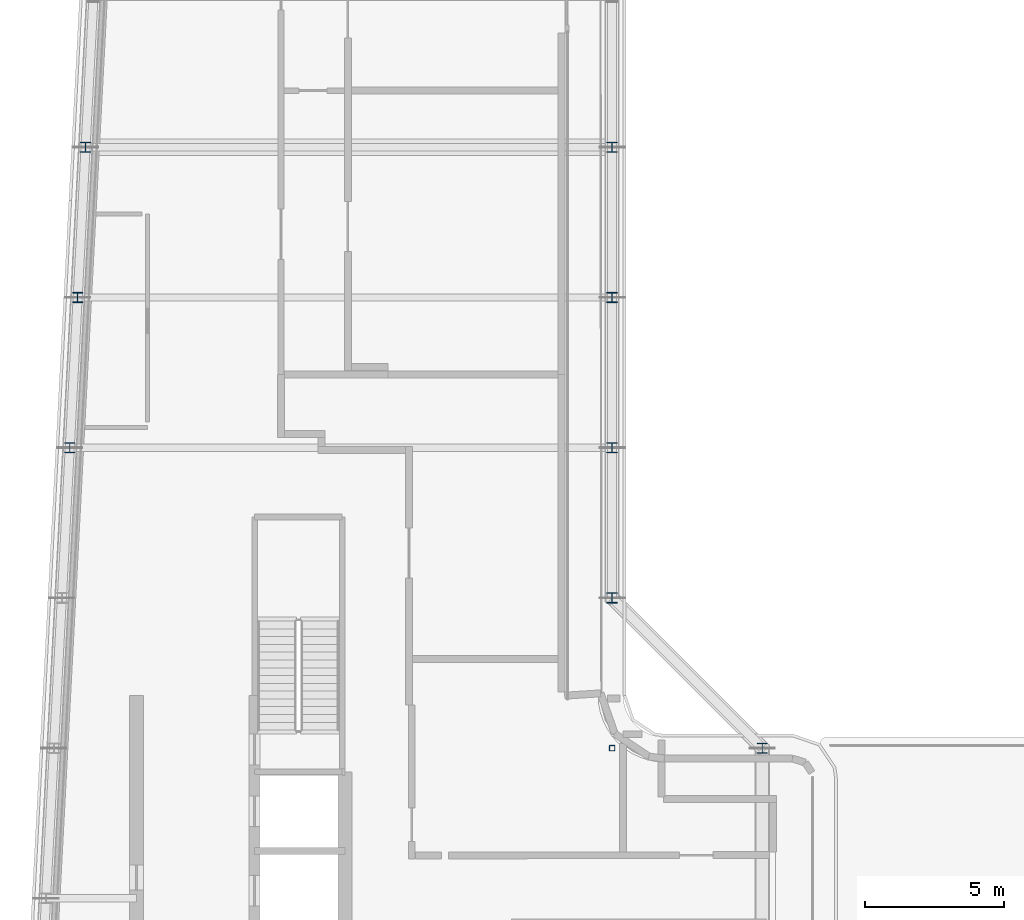
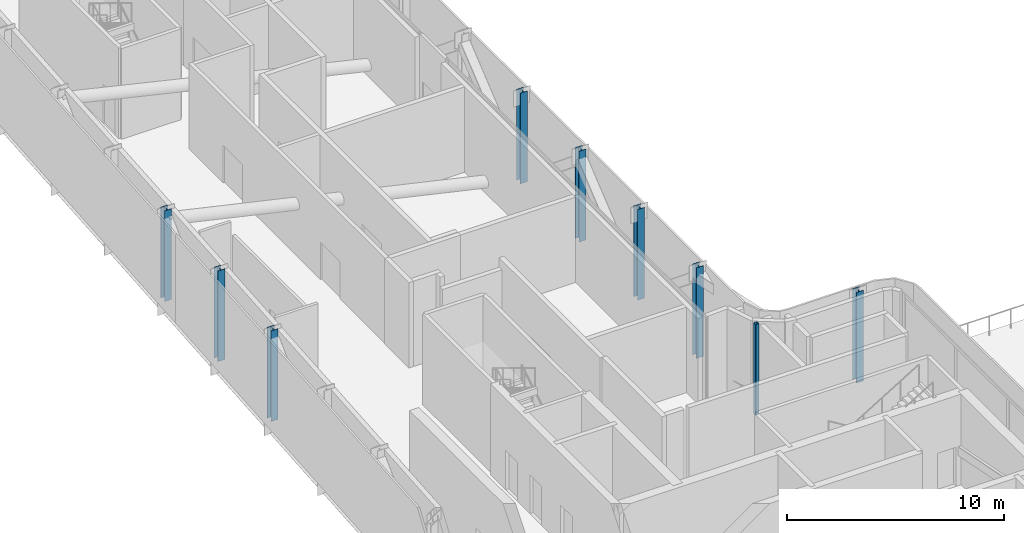
# One storey, part 2 of 18: 9 columns.
"""IFC4 building model written with IfcOpenShell, lengths in metres."""

from ifc_helpers import new_model, si_unit, direction, frame, origin, origin_2d, place, context, subcontext, project, spatial, hollow_rectangle, i_section, extrude, material, material_profile, profile_set, type_object, element, save


model = new_model("IFC4")

# Units and contexts
model_context = context("Model", 3, precision=1e-05, world=origin(), true_north=direction((0.0, 1.0)))
body_context = subcontext(model_context, "Body", "Model", "MODEL_VIEW")
ifc_project = project(units=[si_unit("LENGTHUNIT", "METRE"), si_unit("AREAUNIT", "SQUARE_METRE"), si_unit("VOLUMEUNIT", "CUBIC_METRE"), si_unit("PLANEANGLEUNIT", "RADIAN"), si_unit("MASSUNIT", "GRAM", prefix="KILO")], contexts=[model_context])

# Site, building, storey
site_placement = place(None, origin())
site = spatial("IfcSite", under=ifc_project, at=site_placement, CompositionType="ELEMENT")
building_placement = place(site_placement, origin())
building = spatial("IfcBuilding", under=site, at=building_placement, Name="Kheshtan School and Residences Tower", CompositionType="ELEMENT")
storey_placement = place(building_placement, frame((0.0, 0.0, 333.199951171875)))
storey = spatial("IfcBuildingStorey", under=building, at=storey_placement, Name="L78", CompositionType="ELEMENT", Elevation=333.199951171875)

# Columns
ifc_material_1 = material(Name="Steel ASTM A992 Grade 50", Category="steel")
ifc_material_profile_1 = material_profile(ifc_material_1, i_section(OverallWidth=0.37109375, OverallDepth=0.364013671875, WebThickness=0.01318359375, FlangeThickness=0.021728515625, FilletRadius=0.010986328125, at=origin_2d()), Name="W360x162")
ifc_profile_set_1 = profile_set([ifc_material_profile_1], Name="Steel ASTM A992 Grade 50")
column_type_1 = type_object("IfcColumnType", Name="Column C6 W360x162 ASTM A992 Grade 50", PredefinedType="COLUMN", material=ifc_profile_set_1)
for number, where, z_axis, x_axis, name in (
    (1, (53.0, 45.60009765625, 0.0), (0.0, 0.0, 1.0), (1.0, 0.0, 0.0), "Column C061"),
    (2, (47.60009765625, 51.0, 0.0), (0.0, 0.0, 1.0), (1.0, 0.0, 0.0), "Column C079"),
    (3, (28.10595703125, 56.39990234375, 0.0), (0.0, 0.0, 1.0), (1.0, 0.0, 0.0), "Column C080"),
    (4, (47.60009765625, 56.39990234375, 0.0), (0.0, 0.0, 1.0), (1.0, 0.0, 0.0), "Column C081"),
    (5, (28.389892578125, 61.800048828125, 0.0), (0.0, 0.0, 1.0), (1.0, 0.0, 0.0), "Column C082"),
    (6, (47.60009765625, 61.800048828125, 0.0), (0.0, 0.0, 1.0), (1.0, 0.0, 0.0), "Column C083"),
    (7, (28.674072265625, 67.199951171875, 0.0), (0.0, 0.0, 1.0), (1.0, 0.0, 0.0), "Column C084"),
    (8, (47.60009765625, 67.199951171875, 0.0), (0.0, 0.0, 1.0), (1.0, 0.0, 0.0), "Column C085"),
):
    element("IfcColumn", number, at=place(storey_placement, frame(where, z_axis=z_axis, x_axis=x_axis)), inside=storey, type_object=column_type_1, Name=name, PredefinedType="COLUMN", context=body_context, shape_type="SweptSolid", body=[
        extrude(i_section(OverallWidth=0.37109375, OverallDepth=0.364013671875, WebThickness=0.01318359375, FlangeThickness=0.021728515625, FilletRadius=0.010986328125, at=origin_2d()), origin(), (0.0, 0.0, 1.0), 5.10009765625),
    ])
ifc_material_2 = material(Name="Steel ASTM A500 Grade C", Category="steel")
ifc_material_profile_2 = material_profile(ifc_material_2, hollow_rectangle(XDim=0.202880859375, YDim=0.202880859375, WallThickness=0.0126953125, InnerFilletRadius=0.0126953125, OuterFilletRadius=0.025390625, at=origin_2d()), Name="HSS 203x203x12.7")
ifc_profile_set_2 = profile_set([ifc_material_profile_2], Name="Steel ASTM A500 Grade C")
column_type_2 = type_object("IfcColumnType", Name="Column IC4 HSS 203x203x12.7 ASTM A500 Grade C", PredefinedType="COLUMN", material=ifc_profile_set_2)
column_placement = place(storey_placement, frame((47.60009765625, 45.60009765625, 0.0), z_axis=(0.0, 0.0, 1.0), x_axis=(1.0, 0.0, 0.0)))
element("IfcColumn", 9, at=column_placement, inside=storey, type_object=column_type_2, Name="Column C060", PredefinedType="COLUMN", context=body_context, shape_type="SweptSolid", body=[
    extrude(hollow_rectangle(XDim=0.202880859375, YDim=0.202880859375, WallThickness=0.0126953125, InnerFilletRadius=0.0126953125, OuterFilletRadius=0.025390625, at=origin_2d()), origin(), (0.0, 0.0, 1.0), 5.10009765625),
])

save(model, "model.ifc")
